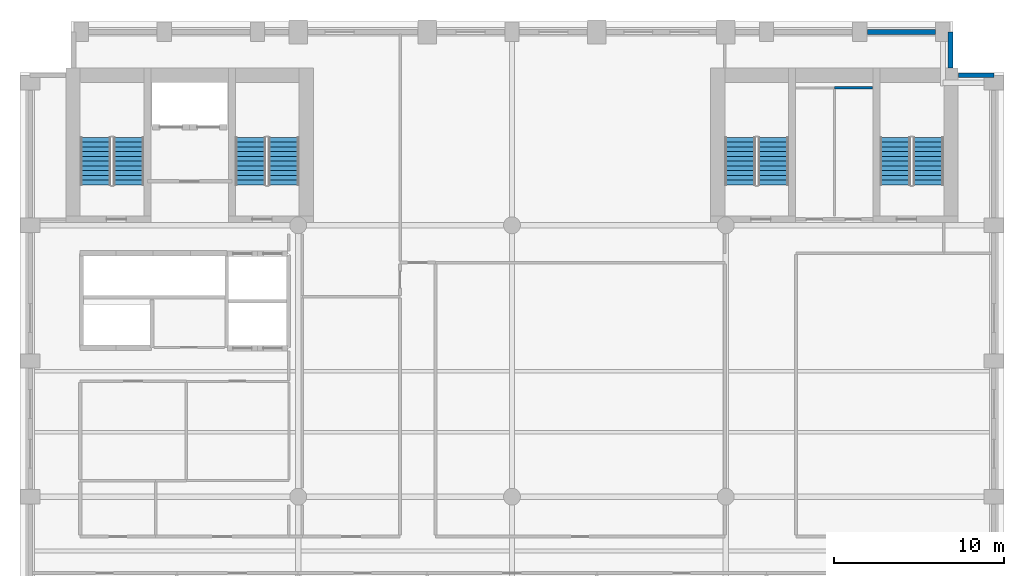
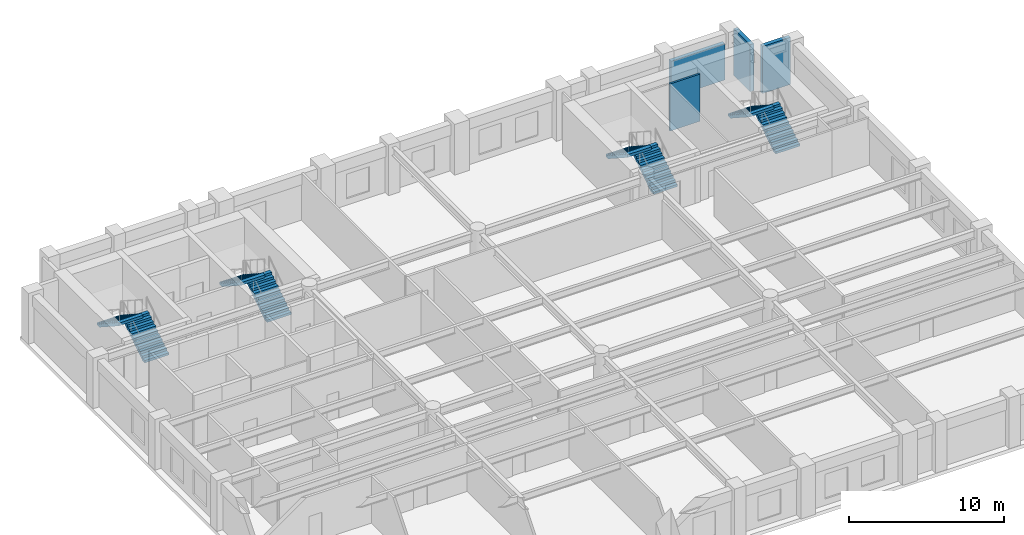
# One storey, part 6 of 8: 8 stair flights, 4 walls, 4 elements without a shape of their own.
"""IFC4 building model written with IfcOpenShell, lengths in metres."""

from ifc_helpers import new_model, si_unit, direction, frame, frame_2d, origin, place, context, subcontext, project, spatial, polyline, rectangle, outline, extrude, material, layer, layer_set, type_object, element, aggregate, save


model = new_model("IFC4")

# Units and contexts
model_context = context("Model", 3, precision=1e-05, world=origin(), true_north=direction((0.0, 1.0)))
body_context = subcontext(model_context, "Body", "Model", "MODEL_VIEW")
ifc_project = project(units=[si_unit("LENGTHUNIT", "METRE"), si_unit("AREAUNIT", "SQUARE_METRE"), si_unit("VOLUMEUNIT", "CUBIC_METRE"), si_unit("PLANEANGLEUNIT", "RADIAN"), si_unit("MASSUNIT", "GRAM", prefix="KILO")], contexts=[model_context])

# Site, building, storey
site_placement = place(None, origin())
site = spatial("IfcSite", under=ifc_project, at=site_placement, CompositionType="ELEMENT")
building_placement = place(site_placement, origin())
building = spatial("IfcBuilding", under=site, at=building_placement, Name="Sulina Concourse Tower", CompositionType="ELEMENT")
storey_placement = place(building_placement, frame((0.0, 0.0, 136.60009765625)))
storey = spatial("IfcBuildingStorey", under=building, at=storey_placement, Name="L33", CompositionType="ELEMENT", Elevation=136.60009765625)

# Walls
ifc_material_1 = material(Name="Gypsum board on steel stud", Category="steel")
ifc_layer_1 = layer(ifc_material_1, 0.14990234375)
ifc_layer_set_1 = layer_set([ifc_layer_1], Name="Gypsum board on steel stud")
wall_type_1 = type_object("IfcWallType", Name="Inter-Tenancy Acoustic Partition 150mm", PredefinedType="PARTITIONING", material=ifc_layer_set_1)
wall_1_placement = place(storey_placement, frame((48.0, 42.10009765625, 0.0), z_axis=(0.0, 0.0, 1.0), x_axis=(1.0, 0.0, 0.0)))
element("IfcWall", 1, at=wall_1_placement, inside=storey, type_object=wall_type_1, Name="L33 interior partition 026", PredefinedType="PARTITIONING", context=body_context, shape_type="SweptSolid", body=[
    extrude(rectangle(XDim=2.25, YDim=0.14990234375, at=frame_2d((1.125, 0.0))), origin(), (0.0, 0.0, 1.0), 3.724853515625),
])
ifc_material_2 = material(Name="Precast concrete C50/60", Category="concrete")
ifc_layer_2 = layer(ifc_material_2, 0.280029296875)
ifc_layer_set_2 = layer_set([ifc_layer_2], Name="Precast concrete C50/60")
wall_type_2 = type_object("IfcWallType", Name="Typical Precast Masonry-Frame Facade Wall 280mm", PredefinedType="SOLIDWALL", material=ifc_layer_set_2)
wall_2_placement = place(storey_placement, frame((49.945068359375, 45.39990234375, 0.0), z_axis=(0.0, 0.0, 1.0), x_axis=(1.0, 0.0, 0.0)))
element("IfcWall", 2, at=wall_2_placement, inside=storey, type_object=wall_type_2, Name="L33 exterior precast wall N10", PredefinedType="SOLIDWALL", context=body_context, shape_type="SweptSolid", body=[
    extrude(rectangle(XDim=4.010009765625, YDim=0.280029296875, at=frame_2d((2.0048828125, 0.0))), origin(), (0.0, 0.0, 1.0), 2.875),
])
wall_3_placement = place(storey_placement, frame((54.844970703125, 45.39990234375, 0.0), z_axis=(0.0, 0.0, 1.0), x_axis=(0.0, -1.0, 0.0)))
element("IfcWall", 3, at=wall_3_placement, inside=storey, type_object=wall_type_2, Name="L33 exterior precast wall CNE1", PredefinedType="SOLIDWALL", context=body_context, shape_type="SweptSolid", body=[
    extrude(rectangle(XDim=2.114990234375, YDim=0.280029296875, at=frame_2d((1.0576171875, 0.0))), origin(), (0.0, 0.0, 1.0), 3.724853515625),
])
wall_4_placement = place(storey_placement, frame((55.304931640625, 42.844970703125, 0.0), z_axis=(0.0, 0.0, 1.0), x_axis=(1.0, 0.0, 0.0)))
element("IfcWall", 4, at=wall_4_placement, inside=storey, type_object=wall_type_2, Name="L33 exterior precast wall CNE2", PredefinedType="SOLIDWALL", context=body_context, shape_type="SweptSolid", body=[
    extrude(rectangle(XDim=2.094970703125, YDim=0.280029296875, at=frame_2d((1.04736328125, 0.0))), origin(), (0.0, 0.0, 1.0), 3.724853515625),
])

# Stair, stair flights
ifc_material_3 = material(Name="Concrete C50/60", Category="concrete")
stair_type_1 = type_object("IfcStairType", Name="Portal & Podium Core Exit Stair 1820mm", PredefinedType="HALF_TURN_STAIR", material=ifc_material_3)
stair_1_placement = place(storey_placement, origin())
stair_1 = element("IfcStair", 5, at=stair_1_placement, inside=storey, type_object=stair_type_1, Name="L33 ST-3", PredefinedType="HALF_TURN_STAIR")
ifc_material_4 = material(Name="Concrete C50/60", Category="concrete")
stair_flight_type_1 = type_object("IfcStairFlightType", Name="Portal & Podium Core Exit Stair 1820mm Flight", PredefinedType="STRAIGHT", material=ifc_material_4)
stair_flight_1_placement = place(storey_placement, frame((44.405029296875, 36.375, 0.0), z_axis=(0.0, 0.0, 1.0), x_axis=(0.0, 1.0, 0.0)))
stair_flight_1 = element("IfcStairFlight", 6, at=stair_flight_1_placement, type_object=stair_flight_type_1, Name="ST-3 flight 1", NumberOfRisers=11, NumberOfTreads=10, PredefinedType="STRAIGHT", RiserHeight=0.181818182, TreadLength=0.28, context=body_context, shape_type="SweptSolid", body=[
    extrude(outline(polyline([(0.0, 0.0), (0.0, 0.181884765625), (0.280029296875, 0.181884765625), (0.280029296875, 0.363525390625), (0.56005859375, 0.363525390625), (0.56005859375, 0.54541015625), (0.840087890625, 0.54541015625), (0.840087890625, 0.727294921875), (1.1201171875, 0.727294921875), (1.1201171875, 0.9091796875), (1.39990234375, 0.9091796875), (1.39990234375, 1.0908203125), (1.679931640625, 1.0908203125), (1.679931640625, 1.272705078125), (1.9599609375, 1.272705078125), (1.9599609375, 1.45458984375), (2.239990234375, 1.45458984375), (2.239990234375, 1.636474609375), (2.52001953125, 1.636474609375), (2.52001953125, 1.818115234375), (2.800048828125, 1.818115234375), (2.800048828125, 2.0), (2.800048828125, 1.603759765625), (0.330322265625, 0.0), (0.0, 0.0)])), frame((0.0, 0.89990234375, 0.0), z_axis=(0.0, -1.0, 0.0), x_axis=(1.0, 0.0, 0.0)), (0.0, 0.0, 1.0), 1.800048828125),
])
stair_flight_2_placement = place(storey_placement, frame((42.455078125, 39.175048828125, 2.0), z_axis=(0.0, 0.0, 1.0), x_axis=(0.0, -1.0, 0.0)))
stair_flight_2 = element("IfcStairFlight", 7, at=stair_flight_2_placement, type_object=stair_flight_type_1, Name="ST-3 flight 2", NumberOfRisers=11, NumberOfTreads=10, PredefinedType="STRAIGHT", RiserHeight=0.181818182, TreadLength=0.28, context=body_context, shape_type="SweptSolid", body=[
    extrude(outline(polyline([(0.0, 0.0), (0.0, 0.181884765625), (0.280029296875, 0.181884765625), (0.280029296875, 0.363525390625), (0.56005859375, 0.363525390625), (0.56005859375, 0.54541015625), (0.840087890625, 0.54541015625), (0.840087890625, 0.727294921875), (1.1201171875, 0.727294921875), (1.1201171875, 0.9091796875), (1.39990234375, 0.9091796875), (1.39990234375, 1.0908203125), (1.679931640625, 1.0908203125), (1.679931640625, 1.272705078125), (1.9599609375, 1.272705078125), (1.9599609375, 1.45458984375), (2.239990234375, 1.45458984375), (2.239990234375, 1.636474609375), (2.52001953125, 1.636474609375), (2.52001953125, 1.818115234375), (2.800048828125, 1.818115234375), (2.800048828125, 2.0), (2.800048828125, 1.603759765625), (0.330322265625, 0.0), (0.0, 0.0)])), frame((0.0, 0.89990234375, 0.0), z_axis=(0.0, -1.0, 0.0), x_axis=(1.0, 0.0, 0.0)), (0.0, 0.0, 1.0), 1.800048828125),
])
aggregate(stair_1, [stair_flight_1, stair_flight_2])

stair_2_placement = place(storey_placement, origin())
stair_2 = element("IfcStair", 8, at=stair_2_placement, inside=storey, type_object=stair_type_1, Name="L33 ST-4", PredefinedType="HALF_TURN_STAIR")
stair_flight_3_placement = place(storey_placement, frame((53.544921875, 36.375, 0.0), z_axis=(0.0, 0.0, 1.0), x_axis=(0.0, 1.0, 0.0)))
stair_flight_3 = element("IfcStairFlight", 9, at=stair_flight_3_placement, type_object=stair_flight_type_1, Name="ST-4 flight 1", NumberOfRisers=11, NumberOfTreads=10, PredefinedType="STRAIGHT", RiserHeight=0.181818182, TreadLength=0.28, context=body_context, shape_type="SweptSolid", body=[
    extrude(outline(polyline([(0.0, 0.0), (0.0, 0.181884765625), (0.280029296875, 0.181884765625), (0.280029296875, 0.363525390625), (0.56005859375, 0.363525390625), (0.56005859375, 0.54541015625), (0.840087890625, 0.54541015625), (0.840087890625, 0.727294921875), (1.1201171875, 0.727294921875), (1.1201171875, 0.9091796875), (1.39990234375, 0.9091796875), (1.39990234375, 1.0908203125), (1.679931640625, 1.0908203125), (1.679931640625, 1.272705078125), (1.9599609375, 1.272705078125), (1.9599609375, 1.45458984375), (2.239990234375, 1.45458984375), (2.239990234375, 1.636474609375), (2.52001953125, 1.636474609375), (2.52001953125, 1.818115234375), (2.800048828125, 1.818115234375), (2.800048828125, 2.0), (2.800048828125, 1.603759765625), (0.330322265625, 0.0), (0.0, 0.0)])), frame((0.0, 0.89990234375, 0.0), z_axis=(0.0, -1.0, 0.0), x_axis=(1.0, 0.0, 0.0)), (0.0, 0.0, 1.0), 1.800048828125),
])
stair_flight_4_placement = place(storey_placement, frame((51.594970703125, 39.175048828125, 2.0), z_axis=(0.0, 0.0, 1.0), x_axis=(0.0, -1.0, 0.0)))
stair_flight_4 = element("IfcStairFlight", 10, at=stair_flight_4_placement, type_object=stair_flight_type_1, Name="ST-4 flight 2", NumberOfRisers=11, NumberOfTreads=10, PredefinedType="STRAIGHT", RiserHeight=0.181818182, TreadLength=0.28, context=body_context, shape_type="SweptSolid", body=[
    extrude(outline(polyline([(0.0, 0.0), (0.0, 0.181884765625), (0.280029296875, 0.181884765625), (0.280029296875, 0.363525390625), (0.56005859375, 0.363525390625), (0.56005859375, 0.54541015625), (0.840087890625, 0.54541015625), (0.840087890625, 0.727294921875), (1.1201171875, 0.727294921875), (1.1201171875, 0.9091796875), (1.39990234375, 0.9091796875), (1.39990234375, 1.0908203125), (1.679931640625, 1.0908203125), (1.679931640625, 1.272705078125), (1.9599609375, 1.272705078125), (1.9599609375, 1.45458984375), (2.239990234375, 1.45458984375), (2.239990234375, 1.636474609375), (2.52001953125, 1.636474609375), (2.52001953125, 1.818115234375), (2.800048828125, 1.818115234375), (2.800048828125, 2.0), (2.800048828125, 1.603759765625), (0.330322265625, 0.0), (0.0, 0.0)])), frame((0.0, 0.89990234375, 0.0), z_axis=(0.0, -1.0, 0.0), x_axis=(1.0, 0.0, 0.0)), (0.0, 0.0, 1.0), 1.800048828125),
])
aggregate(stair_2, [stair_flight_3, stair_flight_4])

ifc_material_5 = material(Name="Concrete C50/60", Category="concrete")
stair_type_2 = type_object("IfcStairType", Name="Primary Core Dog-Leg Exit Stair 1800mm", PredefinedType="HALF_TURN_STAIR", material=ifc_material_5)
stair_3_placement = place(storey_placement, origin())
stair_3 = element("IfcStair", 11, at=stair_3_placement, inside=storey, type_object=stair_type_2, Name="L33 ST-1", PredefinedType="HALF_TURN_STAIR")
ifc_material_6 = material(Name="Concrete C50/60", Category="concrete")
stair_flight_type_2 = type_object("IfcStairFlightType", Name="Primary Core Dog-Leg Exit Stair 1800mm Flight", PredefinedType="STRAIGHT", material=ifc_material_6)
stair_flight_5_placement = place(storey_placement, frame((6.405029296875, 36.375, 0.0), z_axis=(0.0, 0.0, 1.0), x_axis=(0.0, 1.0, 0.0)))
stair_flight_5 = element("IfcStairFlight", 12, at=stair_flight_5_placement, type_object=stair_flight_type_2, Name="ST-1 flight 1", NumberOfRisers=11, NumberOfTreads=10, PredefinedType="STRAIGHT", RiserHeight=0.181818182, TreadLength=0.28, context=body_context, shape_type="SweptSolid", body=[
    extrude(outline(polyline([(0.0, 0.0), (0.0, 0.181884765625), (0.280029296875, 0.181884765625), (0.280029296875, 0.363525390625), (0.56005859375, 0.363525390625), (0.56005859375, 0.54541015625), (0.840087890625, 0.54541015625), (0.840087890625, 0.727294921875), (1.1201171875, 0.727294921875), (1.1201171875, 0.9091796875), (1.39990234375, 0.9091796875), (1.39990234375, 1.0908203125), (1.679931640625, 1.0908203125), (1.679931640625, 1.272705078125), (1.9599609375, 1.272705078125), (1.9599609375, 1.45458984375), (2.239990234375, 1.45458984375), (2.239990234375, 1.636474609375), (2.52001953125, 1.636474609375), (2.52001953125, 1.818115234375), (2.800048828125, 1.818115234375), (2.800048828125, 2.0), (2.800048828125, 1.603759765625), (0.330322265625, 0.0), (0.0, 0.0)])), frame((0.0, 0.89990234375, 0.0), z_axis=(0.0, -1.0, 0.0), x_axis=(1.0, 0.0, 0.0)), (0.0, 0.0, 1.0), 1.800048828125),
])
stair_flight_6_placement = place(storey_placement, frame((4.455078125, 39.175048828125, 2.0), z_axis=(0.0, 0.0, 1.0), x_axis=(0.0, -1.0, 0.0)))
stair_flight_6 = element("IfcStairFlight", 13, at=stair_flight_6_placement, type_object=stair_flight_type_2, Name="ST-1 flight 2", NumberOfRisers=11, NumberOfTreads=10, PredefinedType="STRAIGHT", RiserHeight=0.181818182, TreadLength=0.28, context=body_context, shape_type="SweptSolid", body=[
    extrude(outline(polyline([(0.0, 0.0), (0.0, 0.181884765625), (0.280029296875, 0.181884765625), (0.280029296875, 0.363525390625), (0.56005859375, 0.363525390625), (0.56005859375, 0.54541015625), (0.840087890625, 0.54541015625), (0.840087890625, 0.727294921875), (1.1201171875, 0.727294921875), (1.1201171875, 0.9091796875), (1.39990234375, 0.9091796875), (1.39990234375, 1.0908203125), (1.679931640625, 1.0908203125), (1.679931640625, 1.272705078125), (1.9599609375, 1.272705078125), (1.9599609375, 1.45458984375), (2.239990234375, 1.45458984375), (2.239990234375, 1.636474609375), (2.52001953125, 1.636474609375), (2.52001953125, 1.818115234375), (2.800048828125, 1.818115234375), (2.800048828125, 2.0), (2.800048828125, 1.603759765625), (0.330322265625, 0.0), (0.0, 0.0)])), frame((0.0, 0.89990234375, 0.0), z_axis=(0.0, -1.0, 0.0), x_axis=(1.0, 0.0, 0.0)), (0.0, 0.0, 1.0), 1.800048828125),
])
aggregate(stair_3, [stair_flight_5, stair_flight_6])

stair_4_placement = place(storey_placement, origin())
stair_4 = element("IfcStair", 14, at=stair_4_placement, inside=storey, type_object=stair_type_2, Name="L33 ST-2", PredefinedType="HALF_TURN_STAIR")
stair_flight_7_placement = place(storey_placement, frame((15.544921875, 36.375, 0.0), z_axis=(0.0, 0.0, 1.0), x_axis=(0.0, 1.0, 0.0)))
stair_flight_7 = element("IfcStairFlight", 15, at=stair_flight_7_placement, type_object=stair_flight_type_2, Name="ST-2 flight 1", NumberOfRisers=11, NumberOfTreads=10, PredefinedType="STRAIGHT", RiserHeight=0.181818182, TreadLength=0.28, context=body_context, shape_type="SweptSolid", body=[
    extrude(outline(polyline([(0.0, 0.0), (0.0, 0.181884765625), (0.280029296875, 0.181884765625), (0.280029296875, 0.363525390625), (0.56005859375, 0.363525390625), (0.56005859375, 0.54541015625), (0.840087890625, 0.54541015625), (0.840087890625, 0.727294921875), (1.1201171875, 0.727294921875), (1.1201171875, 0.9091796875), (1.39990234375, 0.9091796875), (1.39990234375, 1.0908203125), (1.679931640625, 1.0908203125), (1.679931640625, 1.272705078125), (1.9599609375, 1.272705078125), (1.9599609375, 1.45458984375), (2.239990234375, 1.45458984375), (2.239990234375, 1.636474609375), (2.52001953125, 1.636474609375), (2.52001953125, 1.818115234375), (2.800048828125, 1.818115234375), (2.800048828125, 2.0), (2.800048828125, 1.603759765625), (0.330322265625, 0.0), (0.0, 0.0)])), frame((0.0, 0.89990234375, 0.0), z_axis=(0.0, -1.0, 0.0), x_axis=(1.0, 0.0, 0.0)), (0.0, 0.0, 1.0), 1.800048828125),
])
stair_flight_8_placement = place(storey_placement, frame((13.594970703125, 39.175048828125, 2.0), z_axis=(0.0, 0.0, 1.0), x_axis=(0.0, -1.0, 0.0)))
stair_flight_8 = element("IfcStairFlight", 16, at=stair_flight_8_placement, type_object=stair_flight_type_2, Name="ST-2 flight 2", NumberOfRisers=11, NumberOfTreads=10, PredefinedType="STRAIGHT", RiserHeight=0.181818182, TreadLength=0.28, context=body_context, shape_type="SweptSolid", body=[
    extrude(outline(polyline([(0.0, 0.0), (0.0, 0.181884765625), (0.280029296875, 0.181884765625), (0.280029296875, 0.363525390625), (0.56005859375, 0.363525390625), (0.56005859375, 0.54541015625), (0.840087890625, 0.54541015625), (0.840087890625, 0.727294921875), (1.1201171875, 0.727294921875), (1.1201171875, 0.9091796875), (1.39990234375, 0.9091796875), (1.39990234375, 1.0908203125), (1.679931640625, 1.0908203125), (1.679931640625, 1.272705078125), (1.9599609375, 1.272705078125), (1.9599609375, 1.45458984375), (2.239990234375, 1.45458984375), (2.239990234375, 1.636474609375), (2.52001953125, 1.636474609375), (2.52001953125, 1.818115234375), (2.800048828125, 1.818115234375), (2.800048828125, 2.0), (2.800048828125, 1.603759765625), (0.330322265625, 0.0), (0.0, 0.0)])), frame((0.0, 0.89990234375, 0.0), z_axis=(0.0, -1.0, 0.0), x_axis=(1.0, 0.0, 0.0)), (0.0, 0.0, 1.0), 1.800048828125),
])
aggregate(stair_4, [stair_flight_7, stair_flight_8])

save(model, "model.ifc")
